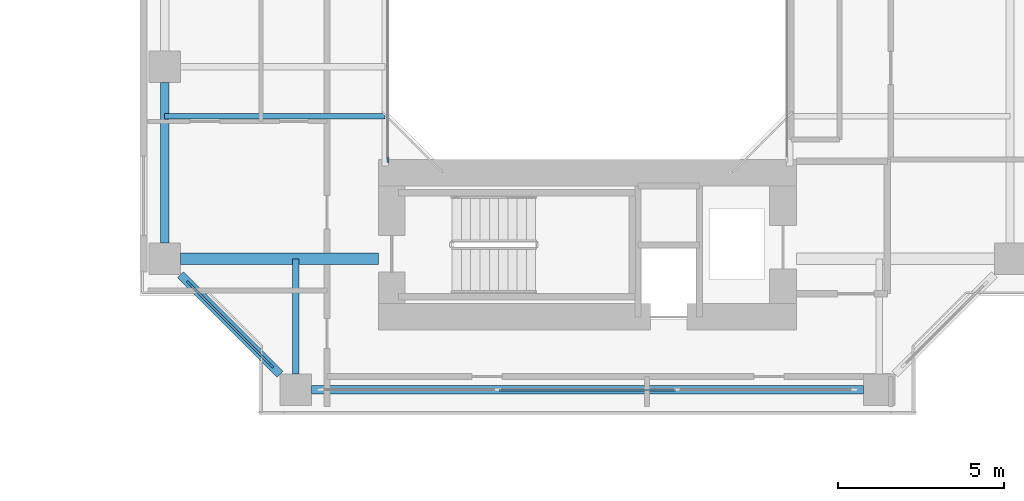
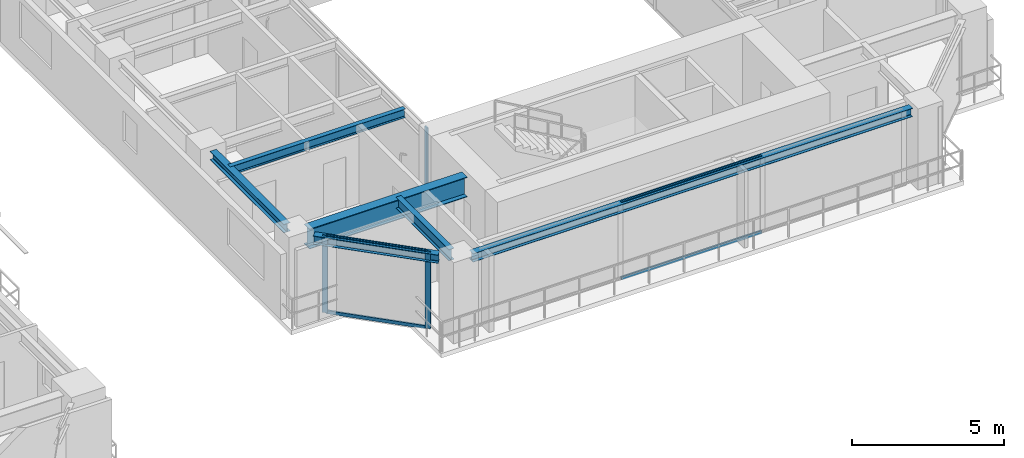
# One storey, part 6 of 24: 7 members, 6 beams, 3 elements without a shape of their own.
"""IFC4 building model written with IfcOpenShell, lengths in metres."""

from ifc_helpers import new_model, si_unit, direction, frame, origin, origin_2d, place, context, subcontext, project, spatial, rectangle, i_section, extrude, source, transform, mapped, material, layer, layer_set, material_profile, profile_set, type_object, element, aggregate, save


model = new_model("IFC4")

# Units and contexts
model_context = context("Model", 3, precision=1e-05, world=origin(), true_north=direction((0.0, 1.0)))
body_context = subcontext(model_context, "Body", "Model", "MODEL_VIEW")
ifc_project = project(units=[si_unit("LENGTHUNIT", "METRE"), si_unit("AREAUNIT", "SQUARE_METRE"), si_unit("VOLUMEUNIT", "CUBIC_METRE"), si_unit("PLANEANGLEUNIT", "RADIAN"), si_unit("MASSUNIT", "GRAM", prefix="KILO"), si_unit("THERMODYNAMICTEMPERATUREUNIT", "KELVIN"), si_unit("POWERUNIT", "WATT")], contexts=[model_context])

# Site, building, storey
site_placement = place(None, origin())
site = spatial("IfcSite", under=ifc_project, at=site_placement, CompositionType="ELEMENT")
building_placement = place(site_placement, origin())
building = spatial("IfcBuilding", under=site, at=building_placement, Name="Qiaomeng Ring Towers", CompositionType="ELEMENT")
storey_placement = place(building_placement, frame((0.0, 0.0, 36.0)))
storey = spatial("IfcBuildingStorey", under=building, at=storey_placement, Name="L09", CompositionType="ELEMENT", Elevation=36.0)

# Beams
ifc_material_1 = material(Name="Steel Q355B", Category="steel")
ifc_material_profile_1 = material_profile(ifc_material_1, i_section(OverallWidth=0.25, OverallDepth=0.340087890625, WebThickness=0.009033203125, FlangeThickness=0.013916015625, FilletRadius=0.02001953125, at=origin_2d()), Name="HM 340x250x9x14")
ifc_profile_set_1 = profile_set([ifc_material_profile_1], Name="Steel Q355B")
beam_type_1 = type_object("IfcBeamType", Name="STR-BM-HM340", PredefinedType="SPANDREL", material=ifc_profile_set_1)
shared_shape_1 = source(origin(), body_context, "Body", "SweptSolid", [
    extrude(i_section(OverallWidth=0.25, OverallDepth=0.340087890625, WebThickness=0.009033203125, FlangeThickness=0.013916015625, FilletRadius=0.02001953125, at=origin_2d()), origin(), (0.0, 0.0, 1.0), 16.65185546875),
])
beam_1_placement = place(storey_placement, frame((52.174072265625, 10.25, 2.89990234375), z_axis=(1.0, 0.0, 0.0), x_axis=(0.0, 1.0, 0.0)))
element("IfcBeam", 1, at=beam_1_placement, inside=storey, type_object=beam_type_1, Name="L09 beam STR-SP-L09-T2-S1-S2", PredefinedType="SPANDREL", context=body_context, shape_type="MappedRepresentation", body=[
    mapped(shared_shape_1, transform((0.0, 0.0, 0.0), x_axis=(1.0, 0.0, 0.0), y_axis=(0.0, 1.0, 0.0), z_axis=(0.0, 0.0, 1.0), scale=1.0)),
])
shared_shape_2 = source(origin(), body_context, "Body", "SweptSolid", [
    extrude(i_section(OverallWidth=0.25, OverallDepth=0.340087890625, WebThickness=0.009033203125, FlangeThickness=0.013916015625, FilletRadius=0.02001953125, at=origin_2d()), origin(), (0.0, 0.0, 1.0), 4.244384765625),
])
beam_2_placement = place(storey_placement, frame((48.224365234375, 13.7255859375, 2.89990234375), z_axis=(0.707106781187, -0.707106781187, 0.0), x_axis=(0.707106781187, 0.707106781187, 0.0)))
element("IfcBeam", 2, at=beam_2_placement, inside=storey, type_object=beam_type_1, Name="L09 beam STR-SP-L09-T2-W1-S1", PredefinedType="SPANDREL", context=body_context, shape_type="MappedRepresentation", body=[
    mapped(shared_shape_2, transform((0.0, 0.0, 0.0), x_axis=(1.0, 0.0, 0.0), y_axis=(0.0, 1.0, 0.0), z_axis=(0.0, 0.0, 1.0), scale=1.0)),
])
shared_shape_3 = source(origin(), body_context, "Body", "SweptSolid", [
    extrude(i_section(OverallWidth=0.25, OverallDepth=0.340087890625, WebThickness=0.009033203125, FlangeThickness=0.013916015625, FilletRadius=0.02001953125, at=origin_2d()), origin(), (0.0, 0.0, 1.0), 4.851806640625),
])
beam_3_placement = place(storey_placement, frame((47.75, 19.52587890625, 2.89990234375), z_axis=(0.0, -1.0, 0.0), x_axis=(1.0, 0.0, 0.0)))
element("IfcBeam", 3, at=beam_3_placement, inside=storey, type_object=beam_type_1, Name="L09 beam STR-SP-L09-T2-W2-W1", PredefinedType="SPANDREL", context=body_context, shape_type="MappedRepresentation", body=[
    mapped(shared_shape_3, transform((0.0, 0.0, 0.0), x_axis=(1.0, 0.0, 0.0), y_axis=(0.0, 1.0, 0.0), z_axis=(0.0, 0.0, 1.0), scale=1.0)),
])
ifc_material_2 = material(Name="Steel Q390GJC", Category="steel")
ifc_material_profile_2 = material_profile(ifc_material_2, i_section(OverallWidth=0.35009765625, OverallDepth=0.800048828125, WebThickness=0.01611328125, FlangeThickness=0.028076171875, at=origin_2d()), Name="WH 800x350x16x28")
ifc_profile_set_2 = profile_set([ifc_material_profile_2], Name="Steel Q390GJC")
beam_type_2 = type_object("IfcBeamType", Name="STR-BM-WH800", PredefinedType="BEAM", material=ifc_profile_set_2)
shared_shape_4 = source(origin(), body_context, "Body", "SweptSolid", [
    extrude(i_section(OverallWidth=0.35009765625, OverallDepth=0.800048828125, WebThickness=0.01611328125, FlangeThickness=0.028076171875, at=origin_2d()), origin(), (0.0, 0.0, 1.0), 5.975830078125),
])
beam_4_placement = place(storey_placement, frame((48.22412109375, 14.199951171875, 2.669921875), z_axis=(1.0, 0.0, 0.0), x_axis=(0.0, 1.0, 0.0)))
element("IfcBeam", 4, at=beam_4_placement, inside=storey, type_object=beam_type_2, Name="L09 beam STR-BM-L09-T2-RAD-W1", PredefinedType="BEAM", context=body_context, shape_type="MappedRepresentation", body=[
    mapped(shared_shape_4, transform((0.0, 0.0, 0.0), x_axis=(1.0, 0.0, 0.0), y_axis=(0.0, 1.0, 0.0), z_axis=(0.0, 0.0, 1.0), scale=1.0)),
])
ifc_material_profile_3 = material_profile(ifc_material_1, i_section(OverallWidth=0.199951171875, OverallDepth=0.449951171875, WebThickness=0.009033203125, FlangeThickness=0.013916015625, FilletRadius=0.01806640625, at=origin_2d()), Name="HN 450x200x9x14")
ifc_profile_set_3 = profile_set([ifc_material_profile_3], Name="Steel Q355B")
beam_type_3 = type_object("IfcBeamType", Name="STR-BM-HN450", PredefinedType="SPANDREL", material=ifc_profile_set_3)
shared_shape_5 = source(origin(), body_context, "Body", "SweptSolid", [
    extrude(i_section(OverallWidth=0.199951171875, OverallDepth=0.449951171875, WebThickness=0.009033203125, FlangeThickness=0.013916015625, FilletRadius=0.01806640625, at=origin_2d()), origin(), (0.0, 0.0, 1.0), 3.475830078125),
])
beam_5_placement = place(storey_placement, frame((51.699951171875, 10.72412109375, 2.844970703125), z_axis=(0.0, 1.0, 0.0), x_axis=(-1.0, 0.0, 0.0)))
element("IfcBeam", 5, at=beam_5_placement, inside=storey, type_object=beam_type_3, Name="L09 beam STR-BM-L09-T2-RAD-S1", PredefinedType="SPANDREL", context=body_context, shape_type="MappedRepresentation", body=[
    mapped(shared_shape_5, transform((0.0, 0.0, 0.0), x_axis=(1.0, 0.0, 0.0), y_axis=(0.0, 1.0, 0.0), z_axis=(0.0, 0.0, 1.0), scale=1.0)),
])
ifc_material_profile_4 = material_profile(ifc_material_1, i_section(OverallWidth=0.175048828125, OverallDepth=0.35009765625, WebThickness=0.007080078125, FlangeThickness=0.010986328125, FilletRadius=0.013916015625, at=origin_2d()), Name="HN 350x175x7x11")
ifc_profile_set_4 = profile_set([ifc_material_profile_4], Name="Steel Q355B")
beam_type_4 = type_object("IfcBeamType", Name="STR-BM-HN350", PredefinedType="JOIST", material=ifc_profile_set_4)
shared_shape_6 = source(origin(), body_context, "Body", "SweptSolid", [
    extrude(i_section(OverallWidth=0.175048828125, OverallDepth=0.35009765625, WebThickness=0.007080078125, FlangeThickness=0.010986328125, FilletRadius=0.013916015625, at=origin_2d()), origin(), (0.0, 0.0, 1.0), 6.64990234375),
])
beam_6_placement = place(storey_placement, frame((47.75, 18.5, 2.89501953125), z_axis=(1.0, 0.0, 0.0), x_axis=(0.0, 1.0, 0.0)))
element("IfcBeam", 6, at=beam_6_placement, inside=storey, type_object=beam_type_4, Name="L09 beam STR-JST-L09-T2W-1", PredefinedType="JOIST", context=body_context, shape_type="MappedRepresentation", body=[
    mapped(shared_shape_6, transform((0.0, 0.0, 0.0), x_axis=(1.0, 0.0, 0.0), y_axis=(0.0, 1.0, 0.0), z_axis=(0.0, 0.0, 1.0), scale=1.0)),
])

# Curtain wall, member
ifc_material_3 = material(Name="Fluorocarbon dark-grey aluminium", Category="aluminium")
ifc_layer_1 = layer(ifc_material_3, 0.139892578125, Name="Fluorocarbon dark-grey aluminium")
ifc_layer_set_1 = layer_set([ifc_layer_1], Name="Fluorocarbon dark-grey aluminium")
curtain_wall_type_1 = type_object("IfcCurtainWallType", Name="ARC-CW-4", PredefinedType="NOTDEFINED", material=ifc_layer_set_1)
curtain_wall_1_placement = place(storey_placement, origin())
curtain_wall_1 = element("IfcCurtainWall", 7, at=curtain_wall_1_placement, inside=storey, type_object=curtain_wall_type_1, Name="L09 Curtain Wall CW4", PredefinedType="NOTDEFINED")
ifc_material_profile_5 = material_profile(ifc_material_3, rectangle(XDim=0.06494140625, YDim=0.159912109375, at=origin_2d()), Name="ALU MULL 65x160")
ifc_profile_set_5 = profile_set([ifc_material_profile_5], Name="Fluorocarbon dark-grey aluminium")
member_type_1 = type_object("IfcMemberType", Name="ARC-CWM-140", PredefinedType="MULLION", material=ifc_profile_set_5)
shared_shape_7 = source(origin(), body_context, "Body", "SweptSolid", [
    extrude(rectangle(XDim=0.06494140625, YDim=0.159912109375, at=origin_2d()), origin(), (0.0, 0.0, 1.0), 3.070068359375),
])
member_1_placement = place(storey_placement, frame((54.47998046875, 17.1826171875, 0.0), z_axis=(0.0, 0.0, 1.0), x_axis=(-1.0, 0.0, 0.0)))
member_1 = element("IfcMember", 8, at=member_1_placement, type_object=member_type_1, Name="CW4 mullion 1", PredefinedType="MULLION", context=body_context, shape_type="MappedRepresentation", body=[
    mapped(shared_shape_7, transform((0.0, 0.0, 0.0), x_axis=(1.0, 0.0, 0.0), y_axis=(0.0, 1.0, 0.0), z_axis=(0.0, 0.0, 1.0), scale=1.0)),
])
aggregate(curtain_wall_1, [member_1])

# Curtain wall, members
ifc_layer_2 = layer(ifc_material_3, 0.14990234375, Name="Fluorocarbon dark-grey aluminium")
ifc_layer_set_2 = layer_set([ifc_layer_2], Name="Fluorocarbon dark-grey aluminium")
curtain_wall_type_2 = type_object("IfcCurtainWallType", Name="ARC-CW-5", PredefinedType="NOTDEFINED", material=ifc_layer_set_2)
curtain_wall_2_placement = place(storey_placement, origin())
curtain_wall_2 = element("IfcCurtainWall", 9, at=curtain_wall_2_placement, inside=storey, type_object=curtain_wall_type_2, Name="L09 Curtain Wall CW5", PredefinedType="NOTDEFINED")
ifc_material_profile_6 = material_profile(ifc_material_3, rectangle(XDim=0.070068359375, YDim=0.179931640625, at=origin_2d()), Name="ALU MULL 70x180")
ifc_profile_set_6 = profile_set([ifc_material_profile_6], Name="Fluorocarbon dark-grey aluminium")
member_type_2 = type_object("IfcMemberType", Name="ARC-CWM-160", PredefinedType="MULLION", material=ifc_profile_set_6)
shared_shape_8 = source(origin(), body_context, "Body", "SweptSolid", [
    extrude(rectangle(XDim=0.070068359375, YDim=0.179931640625, at=origin_2d()), origin(), (0.0, 0.0, 1.0), 3.070068359375),
])
member_2_placement = place(storey_placement, frame((48.48974609375, 13.460205078125, 0.0), z_axis=(0.0, 0.0, 1.0), x_axis=(0.707106781187, 0.707106781187, 0.0)))
member_2 = element("IfcMember", 10, at=member_2_placement, type_object=member_type_2, Name="CW5 mullion 1", PredefinedType="MULLION", context=body_context, shape_type="MappedRepresentation", body=[
    mapped(shared_shape_8, transform((0.0, 0.0, 0.0), x_axis=(1.0, 0.0, 0.0), y_axis=(0.0, 1.0, 0.0), z_axis=(0.0, 0.0, 1.0), scale=1.0)),
])
member_3_placement = place(storey_placement, frame((50.960205078125, 10.98974609375, 0.0), z_axis=(0.0, 0.0, 1.0), x_axis=(0.707106781187, 0.707106781187, 0.0)))
member_3 = element("IfcMember", 11, at=member_3_placement, type_object=member_type_2, Name="CW5 mullion 2", PredefinedType="MULLION", context=body_context, shape_type="MappedRepresentation", body=[
    mapped(shared_shape_8, transform((0.0, 0.0, 0.0), x_axis=(1.0, 0.0, 0.0), y_axis=(0.0, 1.0, 0.0), z_axis=(0.0, 0.0, 1.0), scale=1.0)),
])

curtain_wall_3_placement = place(storey_placement, origin())
curtain_wall_3 = element("IfcCurtainWall", 12, at=curtain_wall_3_placement, inside=storey, type_object=curtain_wall_type_2, Name="L09 Curtain Wall CW5", PredefinedType="NOTDEFINED")
ifc_material_profile_7 = material_profile(ifc_material_3, rectangle(XDim=0.06494140625, YDim=0.1298828125, at=origin_2d()), Name="ALU TRAN 65x130")
ifc_profile_set_7 = profile_set([ifc_material_profile_7], Name="Fluorocarbon dark-grey aluminium")
member_type_3 = type_object("IfcMemberType", Name="ARC-CWT-120", PredefinedType="USERDEFINED", material=ifc_profile_set_7)
shared_shape_9 = source(origin(), body_context, "Body", "SweptSolid", [
    extrude(rectangle(XDim=0.06494140625, YDim=0.1298828125, at=origin_2d()), origin(), (0.0, 0.0, 1.0), 5.31982421875),
])
member_4_placement = place(storey_placement, frame((57.840087890625, 10.25, 0.032470703125), z_axis=(1.0, 0.0, 0.0), x_axis=(0.0, 1.0, 0.0)))
member_4 = element("IfcMember", 13, at=member_4_placement, type_object=member_type_3, Name="CW5 transom 2.1", ObjectType="TRANSOM", PredefinedType="USERDEFINED", context=body_context, shape_type="MappedRepresentation", body=[
    mapped(shared_shape_9, transform((0.0, 0.0, 0.0), x_axis=(1.0, 0.0, 0.0), y_axis=(0.0, 1.0, 0.0), z_axis=(0.0, 0.0, 1.0), scale=1.0)),
])
member_5_placement = place(storey_placement, frame((57.840087890625, 10.25, 3.03759765625), z_axis=(1.0, 0.0, 0.0), x_axis=(0.0, 1.0, 0.0)))
member_5 = element("IfcMember", 14, at=member_5_placement, type_object=member_type_3, Name="CW5 transom 2.2", ObjectType="TRANSOM", PredefinedType="USERDEFINED", context=body_context, shape_type="MappedRepresentation", body=[
    mapped(shared_shape_9, transform((0.0, 0.0, 0.0), x_axis=(1.0, 0.0, 0.0), y_axis=(0.0, 1.0, 0.0), z_axis=(0.0, 0.0, 1.0), scale=1.0)),
])
aggregate(curtain_wall_3, [member_4, member_5])

# Member
shared_shape_10 = source(origin(), body_context, "Body", "SweptSolid", [
    extrude(rectangle(XDim=0.06494140625, YDim=0.1298828125, at=origin_2d()), origin(), (0.0, 0.0, 1.0), 3.424072265625),
])
member_6_placement = place(storey_placement, frame((48.514404296875, 13.435546875, 0.032470703125), z_axis=(0.707106781187, -0.707106781187, 0.0), x_axis=(0.707106781187, 0.707106781187, 0.0)))
member_6 = element("IfcMember", 15, at=member_6_placement, type_object=member_type_3, Name="CW5 transom 1.1", ObjectType="TRANSOM", PredefinedType="USERDEFINED", context=body_context, shape_type="MappedRepresentation", body=[
    mapped(shared_shape_10, transform((0.0, 0.0, 0.0), x_axis=(1.0, 0.0, 0.0), y_axis=(0.0, 1.0, 0.0), z_axis=(0.0, 0.0, 1.0), scale=1.0)),
])

member_7_placement = place(storey_placement, frame((48.514404296875, 13.435546875, 3.03759765625), z_axis=(0.707106781187, -0.707106781187, 0.0), x_axis=(0.707106781187, 0.707106781187, 0.0)))
member_7 = element("IfcMember", 16, at=member_7_placement, type_object=member_type_3, Name="CW5 transom 1.2", ObjectType="TRANSOM", PredefinedType="USERDEFINED", context=body_context, shape_type="MappedRepresentation", body=[
    mapped(shared_shape_10, transform((0.0, 0.0, 0.0), x_axis=(1.0, 0.0, 0.0), y_axis=(0.0, 1.0, 0.0), z_axis=(0.0, 0.0, 1.0), scale=1.0)),
])

aggregate(curtain_wall_2, [member_2, member_3, member_6, member_7])

save(model, "model.ifc")
